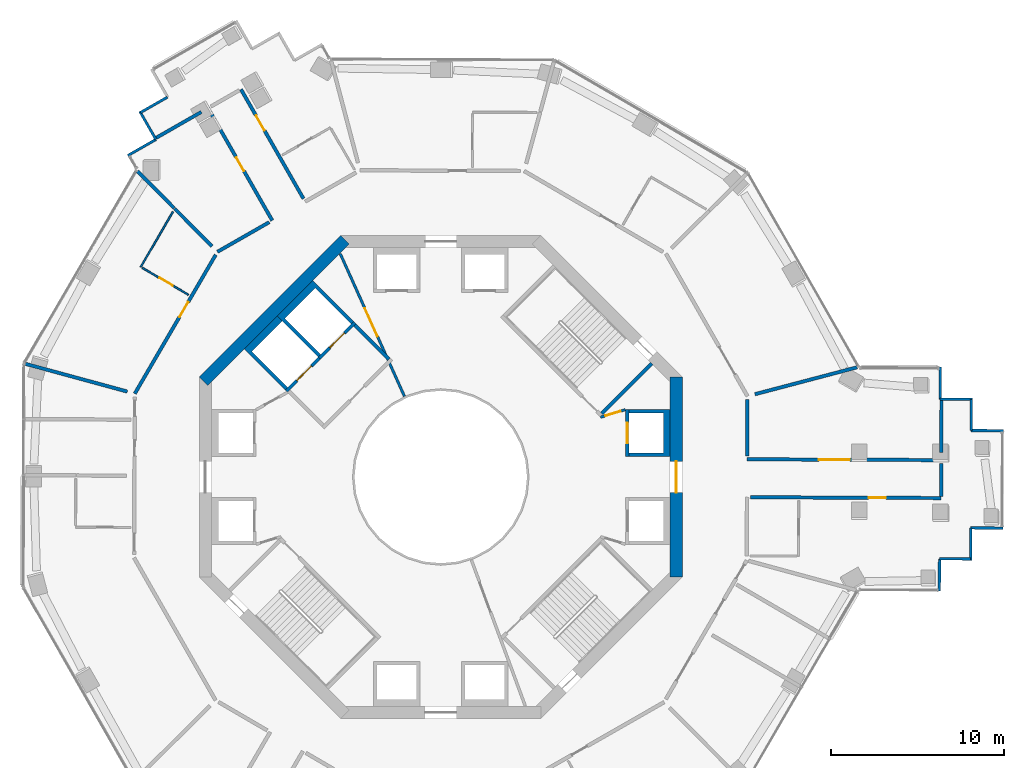
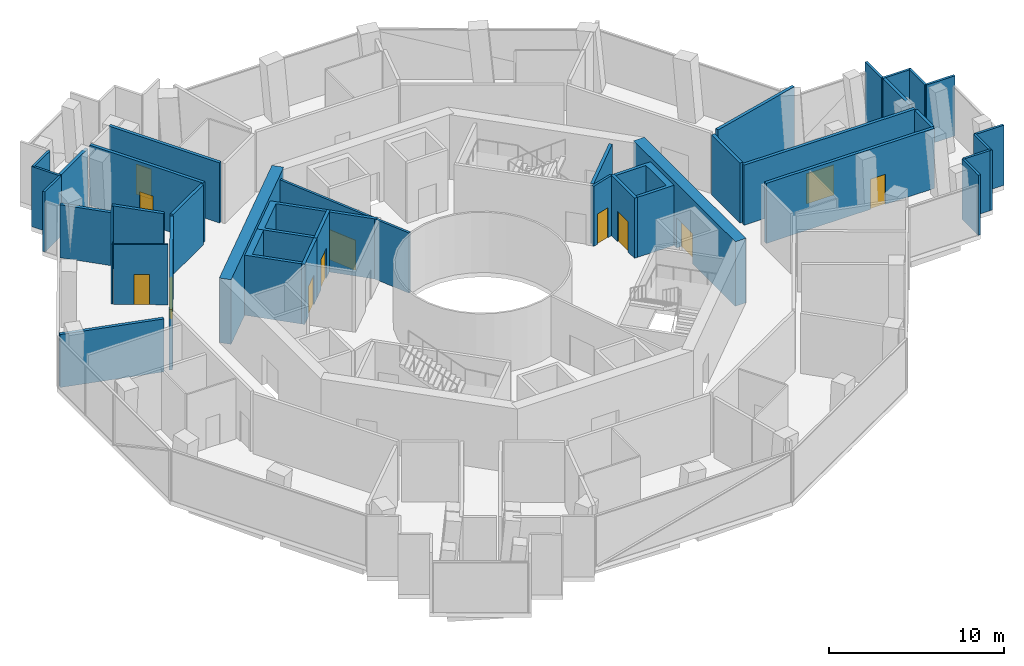
# One storey, part 12 of 16: 39 walls, 12 doors, 12 openings.
"""IFC4 building model written with IfcOpenShell, lengths in metres."""

import ifcopenshell
import ifcopenshell.guid

model = None  # the IFC model being written
_history = None  # IfcOwnerHistory: only IFC2X3 demands one
_inside = {}  # id of a spatial element -> (the spatial element, [elements in it])
_under = {}  # id of a project, library or spatial element -> (it, [spatial elements below it])
_declared = {}  # id of a project -> (the project, [libraries it declares])
_typed = {}  # id of a type object -> (the type object, [elements of that type])
_made_of = {}  # id of a material, layer set ... -> (it, [elements and type objects made of it])


def new_model(schema):
    """Start an empty IFC model of exactly this schema.

    Asked for "IFC4X3", IfcOpenShell would pick the latest addendum, in which some entities
    have other attributes; the version numbers below select the first issue.
    IFC2X3 requires an IfcOwnerHistory on every rooted entity: one is made here for all.
    """
    global model, _history
    if schema == "IFC4X3":
        model = ifcopenshell.file(schema_version=(4, 3, 0, 0))
    else:
        model = ifcopenshell.file(schema=schema)
    _inside.clear()
    _under.clear()
    _declared.clear()
    _typed.clear()
    _made_of.clear()
    _history = None
    if model.schema == "IFC2X3":
        org = make("IfcOrganization", Name="unknown")
        user = make(
            "IfcPersonAndOrganization",
            ThePerson=make("IfcPerson", FamilyName="unknown"),
            TheOrganization=org,
        )
        app = make(
            "IfcApplication",
            ApplicationDeveloper=org,
            Version="unknown",
            ApplicationFullName="unknown",
            ApplicationIdentifier="unknown",
        )
        _history = make(
            "IfcOwnerHistory",
            OwningUser=user,
            OwningApplication=app,
            ChangeAction="ADDED",
            CreationDate=0,
        )
    return model


def make(cls, **values):
    """One entity of the class cls with the attributes given. An attribute that is None is left unset."""
    return model.create_entity(
        cls, **{name: value for name, value in values.items() if value is not None}
    )


def rooted(cls, **values):
    """An entity with a GlobalId (a new one), such as an element, a storey or a relation."""
    return make(cls, GlobalId=ifcopenshell.guid.new(), OwnerHistory=_history, **values)


def si_unit(unit_type, name, prefix=None):
    """IfcSIUnit, for example si_unit("LENGTHUNIT", "METRE", prefix="MILLI")."""
    return make("IfcSIUnit", UnitType=unit_type, Prefix=prefix, Name=name)


def assignment(units):
    """IfcUnitAssignment: the units of a project."""
    return None if units is None else make("IfcUnitAssignment", Units=units)


def point(xyz):
    """IfcCartesianPoint."""
    return None if xyz is None else make("IfcCartesianPoint", Coordinates=xyz)


def direction(xyz):
    """IfcDirection."""
    return None if xyz is None else make("IfcDirection", DirectionRatios=xyz)


def frame(location, z_axis=None, x_axis=None):
    """IfcAxis2Placement3D, a coordinate frame: its origin and axes. An axis left out is left unset."""
    return make(
        "IfcAxis2Placement3D",
        Location=point(location),
        Axis=direction(z_axis),
        RefDirection=direction(x_axis),
    )


def frame_2d(location, x_axis=None):
    """IfcAxis2Placement2D, a coordinate frame in the plane: its origin and x axis."""
    return make(
        "IfcAxis2Placement2D", Location=point(location), RefDirection=direction(x_axis)
    )


def origin():
    """The frame at (0, 0, 0) with its axes left unset."""
    return frame((0.0, 0.0, 0.0))


def place(relative_to, where):
    """IfcLocalPlacement: puts the frame where relative to a parent placement (None: the world)."""
    return make(
        "IfcLocalPlacement", PlacementRelTo=relative_to, RelativePlacement=where
    )


def context(
    kind, dimensions, precision=None, world=None, true_north=None, identifier=None
):
    """IfcGeometricRepresentationContext, for example the 3D "Model" context."""
    return make(
        "IfcGeometricRepresentationContext",
        ContextIdentifier=identifier,
        ContextType=kind,
        CoordinateSpaceDimension=dimensions,
        Precision=precision,
        WorldCoordinateSystem=world,
        TrueNorth=true_north,
    )


def subcontext(parent, identifier, kind, view, scale=None):
    """IfcGeometricRepresentationSubContext, for example "Body" below "Model"."""
    return make(
        "IfcGeometricRepresentationSubContext",
        ContextIdentifier=identifier,
        ContextType=kind,
        ParentContext=parent,
        TargetScale=scale,
        TargetView=view,
    )


def project(units=None, contexts=None):
    """IfcProject with its units and contexts."""
    return rooted(
        "IfcProject",
        Name="project",
        RepresentationContexts=contexts,
        UnitsInContext=assignment(units),
    )


def spatial(cls, under=None, at=None, **own):
    """A site, building, storey or space (cls), placed at a placement, below another one or the project."""
    s = rooted(cls, ObjectPlacement=at, **own)
    if under is not None:
        _under.setdefault(under.id(), (under, []))[1].append(s)
    return s


def polyline(points):
    """IfcPolyline through the points."""
    return make("IfcPolyline", Points=[point(p) for p in points])


def profile(cls, at=None, kind="AREA", **sizes):
    """A parametric profile (cls). Its sizes go by their IFC names, for example OverallWidth=200.0."""
    return make(cls, ProfileType=kind, Position=at, **sizes)


def rectangle(**sizes):
    """IfcRectangleProfileDef."""
    return profile("IfcRectangleProfileDef", **sizes)


def outline(outer, holes=None, kind="AREA"):
    """IfcArbitraryClosedProfileDef: a profile drawn as a closed curve; with holes, ...WithVoids."""
    if holes is None:
        return make("IfcArbitraryClosedProfileDef", ProfileType=kind, OuterCurve=outer)
    return make(
        "IfcArbitraryProfileDefWithVoids",
        ProfileType=kind,
        OuterCurve=outer,
        InnerCurves=holes,
    )


def extrude(swept, where, along, depth):
    """IfcExtrudedAreaSolid: the profile swept, set in the frame where, extruded along a direction by depth."""
    return make(
        "IfcExtrudedAreaSolid",
        SweptArea=swept,
        Position=where,
        ExtrudedDirection=direction(along),
        Depth=depth,
    )


def shape(context_of_items, identifier, shape_type, items):
    """IfcShapeRepresentation: the items that make up one representation, for example the "Body"."""
    return make(
        "IfcShapeRepresentation",
        ContextOfItems=context_of_items,
        RepresentationIdentifier=identifier,
        RepresentationType=shape_type,
        Items=items,
    )


def material(Name=None, Category=None):
    """IfcMaterial."""
    return make("IfcMaterial", Name=Name, Category=Category)


def layer(
    of_material, thickness, ventilated=None, Name=None, Category=None, Priority=None
):
    """IfcMaterialLayer: one layer of a wall or slab, of a material (None: an air gap)."""
    return make(
        "IfcMaterialLayer",
        Material=of_material,
        LayerThickness=thickness,
        IsVentilated=ventilated,
        Name=Name,
        Category=Category,
        Priority=Priority,
    )


def layer_set(layers, Name=None):
    """IfcMaterialLayerSet."""
    return make("IfcMaterialLayerSet", MaterialLayers=layers, LayerSetName=Name)


def made_of(thing, what):
    """Note that an element or type object is made of a material, layer set ...; save() writes the relation."""
    if what is not None:
        _made_of.setdefault(what.id(), (what, []))[1].append(thing)
    return thing


def type_object(cls, material=None, **own):
    """A type object (cls), such as IfcWallType, which elements share."""
    return made_of(rooted(cls, **own), material)


def element(
    cls,
    number,
    at=None,
    inside=None,
    cuts=None,
    type_object=None,
    material=None,
    context=None,
    identifier="Body",
    shape_type=None,
    held_by="IfcProductDefinitionShape",
    body=None,
    shapes=None,
    **own,
):
    """One element of the class cls, such as IfcWall. Its Tag is "e" and its number.

    at: its placement. inside: the storey or other place that contains it. cuts: it is an
    opening in that element (IfcRelVoidsElement). A single representation is given by context,
    identifier, shape_type and body (its items); several are given by shapes. held_by: the class
    of the entity that holds the representations. save() writes the other relations.
    """
    e = rooted(cls, Tag="e%d" % number, ObjectPlacement=at, **own)
    if body is not None:
        shapes = [shape(context, identifier, shape_type, body)]
    if shapes is not None:
        e.Representation = make(held_by, Representations=shapes)
    if inside is not None:
        _inside.setdefault(inside.id(), (inside, []))[1].append(e)
    if cuts is not None:
        rooted(
            "IfcRelVoidsElement", RelatingBuildingElement=cuts, RelatedOpeningElement=e
        )
    if type_object is not None:
        _typed.setdefault(type_object.id(), (type_object, []))[1].append(e)
    return made_of(e, material)


def fill(opening, filler):
    """IfcRelFillsElement: the door or window that sits in an opening."""
    return rooted(
        "IfcRelFillsElement",
        RelatingOpeningElement=opening,
        RelatedBuildingElement=filler,
    )


def aggregate(whole, parts):
    """IfcRelAggregates: a whole, such as a stair, and the parts it consists of."""
    return rooted("IfcRelAggregates", RelatingObject=whole, RelatedObjects=parts)


def save(model, path):
    """Write the relations noted so far, then the file.

    IfcRelAggregates (storeys below a building ...), IfcRelContainedInSpatialStructure (elements
    in a storey), IfcRelDefinesByType, IfcRelAssociatesMaterial and IfcRelDeclares: one each for
    every whole, place, type object, material and project.
    """
    for whole, parts in _under.values():
        aggregate(whole, parts)
    for where, things in _inside.values():
        rooted(
            "IfcRelContainedInSpatialStructure",
            RelatedElements=things,
            RelatingStructure=where,
        )
    for kind, things in _typed.values():
        rooted("IfcRelDefinesByType", RelatedObjects=things, RelatingType=kind)
    for what, things in _made_of.values():
        rooted("IfcRelAssociatesMaterial", RelatedObjects=things, RelatingMaterial=what)
    for by, libraries in _declared.values():
        rooted("IfcRelDeclares", RelatingContext=by, RelatedDefinitions=libraries)
    model.write(path)


model = new_model("IFC4")

# Units and contexts
model_context = context("Model", 3, precision=1e-05, world=origin(), true_north=direction((0.0, 1.0)))
body_context = subcontext(model_context, "Body", "Model", "MODEL_VIEW")
ifc_project = project(units=[si_unit("LENGTHUNIT", "METRE"), si_unit("AREAUNIT", "SQUARE_METRE"), si_unit("VOLUMEUNIT", "CUBIC_METRE"), si_unit("PLANEANGLEUNIT", "RADIAN"), si_unit("MASSUNIT", "GRAM", prefix="KILO")], contexts=[model_context])

# Site, building, storey
site_placement = place(None, origin())
site = spatial("IfcSite", under=ifc_project, at=site_placement, CompositionType="ELEMENT")
building_placement = place(site_placement, origin())
building = spatial("IfcBuilding", under=site, at=building_placement, Name="Verdalira Terraces Hotel", CompositionType="ELEMENT")
storey_placement = place(building_placement, frame((0.0, 0.0, 154.0)))
storey = spatial("IfcBuildingStorey", under=building, at=storey_placement, Name="L37", CompositionType="ELEMENT", Elevation=154.0)

# Wall
ifc_material_1 = material(Name="Moisture-resistant gypsum board partition")
ifc_layer_1 = layer(ifc_material_1, 0.10009765625)
ifc_layer_set_1 = layer_set([ifc_layer_1], Name="Bathroom partition 100 mm")
wall_type_1 = type_object("IfcWallType", Name="Bathroom partition 100 mm", PredefinedType="PARTITIONING", material=ifc_layer_set_1)
wall_1_placement = place(storey_placement, frame((-17.393555, 12.174805, 0.0), z_axis=(0.0, 0.0, 1.0), x_axis=(0.503588214, 0.863943812, 0.0)))
element("IfcWall", 1, at=wall_1_placement, inside=storey, type_object=wall_type_1, Name="Bathroom partition", PredefinedType="PARTITIONING", context=body_context, shape_type="SweptSolid", body=[
    extrude(rectangle(XDim=3.703857, YDim=0.100098, at=frame_2d((1.852051, 0.0))), origin(), (0.0, 0.0, 1.0), 4.189941),
])

# Wall, opening, door
wall_2_placement = place(storey_placement, frame((-17.307129, 12.124512, 0.0), z_axis=(0.0, 0.0, 1.0), x_axis=(0.863901706, -0.503660444, 0.0)))
wall_2 = element("IfcWall", 2, at=wall_2_placement, inside=storey, type_object=wall_type_1, Name="Bathroom partition", PredefinedType="PARTITIONING", context=body_context, shape_type="SweptSolid", body=[
    extrude(rectangle(XDim=3.099854, YDim=0.100098, at=frame_2d((1.549805, 0.0))), origin(), (0.0, 0.0, 1.0), 4.189941),
])
opening_1_placement = place(wall_2_placement, frame((1.149902, 0.0, 0.0)))
opening_1 = element("IfcOpeningElement", 3, at=opening_1_placement, cuts=wall_2, Name="Opening L37-105", PredefinedType="OPENING", context=body_context, shape_type="SweptSolid", body=[
    extrude(rectangle(XDim=0.899902, YDim=2.100098, at=frame_2d((0.449951, 1.050049))), frame((0.0, 0.060059, 0.0), z_axis=(0.0, -1.0, 0.0), x_axis=(1.0, 0.0, 0.0)), (0.0, 0.0, 1.0), 0.120117),
])
ifc_material_2 = material(Name="Timber door", Category="wood")
door_type_1 = type_object("IfcDoorType", Name="Bathroom door 900 x 2100", OperationType="NOTDEFINED", PredefinedType="DOOR", material=ifc_material_2)
door_1_placement = place(opening_1_placement, origin())
door_1 = element("IfcDoor", 4, at=door_1_placement, inside=storey, type_object=door_type_1, Name="Bathroom door 3703", OperationType="SINGLE_SWING_LEFT", OverallHeight=2.10009765625, OverallWidth=0.89990234375, PredefinedType="DOOR", context=body_context, shape_type="SweptSolid", body=[
    extrude(rectangle(XDim=0.899902, YDim=2.100098, at=frame_2d((0.449951, 1.050049))), frame((0.0, 0.024902, 0.0), z_axis=(0.0, -1.0, 0.0), x_axis=(1.0, 0.0, 0.0)), (0.0, 0.0, 1.0), 0.050049),
])
fill(opening_1, door_1)

# Wall
ifc_material_3 = material(Name="Concrete C50", Category="concrete")
ifc_layer_2 = layer(ifc_material_3, 0.199951171875)
ifc_layer_set_2 = layer_set([ifc_layer_2], Name="Core RC wall 200 C50")
wall_type_2 = type_object("IfcWallType", Name="Core RC wall 200 C50", PredefinedType="SOLIDWALL", material=ifc_layer_set_2)
wall_3_placement = place(storey_placement, origin())
element("IfcWall", 5, at=wall_3_placement, inside=storey, type_object=wall_type_2, Name="L37 shaft wall E2", PredefinedType="SOLIDWALL", context=body_context, shape_type="SweptSolid", body=[
    extrude(outline(polyline([(13.300049, 3.899902), (13.300049, 1.199951), (10.899902, 1.199951), (10.899902, 1.399902), (12.899902, 1.399902), (12.899902, 3.699951), (10.899902, 3.699951), (10.899902, 3.899902), (13.300049, 3.899902)])), origin(), (0.0, 0.0, 1.0), 4.189941),
])

# Wall, opening, door
wall_4_placement = place(storey_placement, frame((10.800049, 1.199951, 0.0), z_axis=(0.0, 0.0, 1.0), x_axis=(0.0, 1.0, 0.0)))
wall_4 = element("IfcWall", 6, at=wall_4_placement, inside=storey, type_object=wall_type_2, Name="L37 shaft front wall E2", PredefinedType="SOLIDWALL", context=body_context, shape_type="SweptSolid", body=[
    extrude(rectangle(XDim=2.699951, YDim=0.199951, at=frame_2d((1.350098, 0.0))), origin(), (0.0, 0.0, 1.0), 4.189941),
])
opening_2_placement = place(wall_4_placement, frame((0.75, 0.0, 0.0)))
opening_2 = element("IfcOpeningElement", 7, at=opening_2_placement, cuts=wall_4, Name="Opening LD-L37-802", PredefinedType="OPENING", context=body_context, shape_type="SweptSolid", body=[
    extrude(rectangle(XDim=1.199951, YDim=2.100098, at=frame_2d((0.600098, 1.050049))), frame((0.0, 0.109863, 0.0), z_axis=(0.0, -1.0, 0.0), x_axis=(1.0, 0.0, 0.0)), (0.0, 0.0, 1.0), 0.219971),
])
ifc_material_4 = material(Name="Stainless steel", Category="steel")
door_type_2 = type_object("IfcDoorType", Name="Landing door 1200 x 2100", OperationType="NOTDEFINED", PredefinedType="DOOR", material=ifc_material_4)
door_2_placement = place(opening_2_placement, origin())
door_2 = element("IfcDoor", 8, at=door_2_placement, inside=storey, type_object=door_type_2, Name="Lift landing door LR2 L37", OperationType="DOUBLE_DOOR_SLIDING", OverallHeight=2.10009765625, OverallWidth=1.199951171875, PredefinedType="DOOR", context=body_context, shape_type="SweptSolid", body=[
    extrude(rectangle(XDim=1.199951, YDim=2.100098, at=frame_2d((0.600098, 1.050049))), frame((0.0, 0.024902, 0.0), z_axis=(0.0, -1.0, 0.0), x_axis=(1.0, 0.0, 0.0)), (0.0, 0.0, 1.0), 0.050049),
])
fill(opening_2, door_2)

# Wall
wall_5_placement = place(storey_placement, origin())
element("IfcWall", 9, at=wall_5_placement, inside=storey, type_object=wall_type_2, Name="L37 shaft wall F1", PredefinedType="SOLIDWALL", context=body_context, shape_type="SweptSolid", body=[
    extrude(outline(polyline([(-9.475098, 9.33374), (-7.424561, 11.384521), (-5.055908, 9.015625), (-5.197266, 8.874268), (-7.283203, 10.960205), (-9.051025, 9.192383), (-6.965088, 7.106445), (-7.106445, 6.965088), (-9.475098, 9.33374)])), origin(), (0.0, 0.0, 1.0), 4.189941),
])

# Wall, opening, door
wall_6_placement = place(storey_placement, frame((-4.985107, 8.944824, 0.0), z_axis=(0.0, 0.0, 1.0), x_axis=(-0.707106781, -0.707106781, 0.0)))
wall_6 = element("IfcWall", 10, at=wall_6_placement, inside=storey, type_object=wall_type_2, Name="L37 shaft front wall F1", PredefinedType="SOLIDWALL", context=body_context, shape_type="SweptSolid", body=[
    extrude(rectangle(XDim=2.899902, YDim=0.199951, at=frame_2d((1.449951, 0.0))), origin(), (0.0, 0.0, 1.0), 4.189941),
])
opening_3_placement = place(wall_6_placement, frame((0.850098, 0.0, 0.0)))
opening_3 = element("IfcOpeningElement", 11, at=opening_3_placement, cuts=wall_6, Name="Opening LD-L37-807", PredefinedType="OPENING", context=body_context, shape_type="SweptSolid", body=[
    extrude(rectangle(XDim=1.199951, YDim=2.100098, at=frame_2d((0.600098, 1.050049))), frame((0.0, 0.109863, 0.0), z_axis=(0.0, -1.0, 0.0), x_axis=(1.0, 0.0, 0.0)), (0.0, 0.0, 1.0), 0.219971),
])
door_3_placement = place(opening_3_placement, origin())
door_3 = element("IfcDoor", 12, at=door_3_placement, inside=storey, type_object=door_type_2, Name="Lift landing door LF11 L37", OperationType="DOUBLE_DOOR_SLIDING", OverallHeight=2.10009765625, OverallWidth=1.199951171875, PredefinedType="DOOR", context=body_context, shape_type="SweptSolid", body=[
    extrude(rectangle(XDim=1.199951, YDim=2.100098, at=frame_2d((0.600098, 1.050049))), frame((0.0, 0.024902, 0.0), z_axis=(0.0, -1.0, 0.0), x_axis=(1.0, 0.0, 0.0)), (0.0, 0.0, 1.0), 0.050049),
])
fill(opening_3, door_3)

# Wall
wall_7_placement = place(storey_placement, origin())
element("IfcWall", 13, at=wall_7_placement, inside=storey, type_object=wall_type_2, Name="L37 shaft wall F2", PredefinedType="SOLIDWALL", context=body_context, shape_type="SweptSolid", body=[
    extrude(outline(polyline([(-11.384521, 7.424561), (-9.475098, 9.33374), (-9.192383, 9.051025), (-10.960205, 7.283203), (-8.874268, 5.197266), (-9.015625, 5.055908), (-11.384521, 7.424561)])), origin(), (0.0, 0.0, 1.0), 4.189941),
])

# Wall, opening, door
wall_8_placement = place(storey_placement, frame((-7.035645, 6.894287, 0.0), z_axis=(0.0, 0.0, 1.0), x_axis=(-0.707106781, -0.707106781, 0.0)))
wall_8 = element("IfcWall", 14, at=wall_8_placement, inside=storey, type_object=wall_type_2, Name="L37 shaft front wall F2", PredefinedType="SOLIDWALL", context=body_context, shape_type="SweptSolid", body=[
    extrude(rectangle(XDim=2.699951, YDim=0.199951, at=frame_2d((1.350098, 0.0))), origin(), (0.0, 0.0, 1.0), 4.189941),
])
opening_4_placement = place(wall_8_placement, frame((0.649902, 0.0, 0.0)))
opening_4 = element("IfcOpeningElement", 15, at=opening_4_placement, cuts=wall_8, Name="Opening LD-L37-808", PredefinedType="OPENING", context=body_context, shape_type="SweptSolid", body=[
    extrude(rectangle(XDim=1.199951, YDim=2.100098, at=frame_2d((0.600098, 1.050049))), frame((0.0, 0.109863, 0.0), z_axis=(0.0, -1.0, 0.0), x_axis=(1.0, 0.0, 0.0)), (0.0, 0.0, 1.0), 0.219971),
])
door_4_placement = place(opening_4_placement, origin())
door_4 = element("IfcDoor", 16, at=door_4_placement, inside=storey, type_object=door_type_2, Name="Lift landing door LF12 L37", OperationType="DOUBLE_DOOR_SLIDING", OverallHeight=2.10009765625, OverallWidth=1.199951171875, PredefinedType="DOOR", context=body_context, shape_type="SweptSolid", body=[
    extrude(rectangle(XDim=1.199951, YDim=2.100098, at=frame_2d((0.600098, 1.050049))), frame((0.0, 0.024902, 0.0), z_axis=(0.0, -1.0, 0.0), x_axis=(1.0, 0.0, 0.0)), (0.0, 0.0, 1.0), 0.050049),
])
fill(opening_4, door_4)

# Walls
wall_9_placement = place(storey_placement, frame((9.33374, 3.677002, 0.0), z_axis=(0.0, 0.0, 1.0), x_axis=(0.707106781, 0.707106781, 0.0)))
element("IfcWall", 17, at=wall_9_placement, inside=storey, type_object=wall_type_2, Name="L37 stair ST1 end wall 1", PredefinedType="SOLIDWALL", context=body_context, shape_type="SweptSolid", body=[
    extrude(rectangle(XDim=4.100098, YDim=0.199951, at=frame_2d((2.050049, 0.0))), origin(), (0.0, 0.0, 1.0), 4.189941),
])
wall_10_placement = place(storey_placement, frame((-3.005127, 6.823486, 0.0), z_axis=(0.0, 0.0, 1.0), x_axis=(-0.707106781, 0.707106781, 0.0)))
element("IfcWall", 18, at=wall_10_placement, inside=storey, type_object=wall_type_2, Name="L37 fire lobby wall", PredefinedType="SOLIDWALL", context=body_context, shape_type="SweptSolid", body=[
    extrude(rectangle(XDim=2.800049, YDim=0.199951, at=frame_2d((1.399902, 0.0))), origin(), (0.0, 0.0, 1.0), 4.189941),
])

# Wall, opening, door
ifc_material_5 = material(Name="Gypsum board partition")
ifc_layer_3 = layer(ifc_material_5, 0.14990234375)
ifc_layer_set_3 = layer_set([ifc_layer_3], Name="Core partition 150 mm")
wall_type_3 = type_object("IfcWallType", Name="Core partition 150 mm", PredefinedType="PARTITIONING", material=ifc_layer_set_3)
wall_11_placement = place(storey_placement, frame((10.699951, 3.899902, 0.0), z_axis=(0.0, 0.0, 1.0), x_axis=(-0.957084567, -0.289808785, 0.0)))
wall_11 = element("IfcWall", 19, at=wall_11_placement, inside=storey, type_object=wall_type_3, Name="Room partition L37", PredefinedType="PARTITIONING", context=body_context, shape_type="SweptSolid", body=[
    extrude(rectangle(XDim=1.501221, YDim=0.149902, at=frame_2d((0.750488, 0.0))), origin(), (0.0, 0.0, 1.0), 4.189941),
])
opening_5_placement = place(wall_11_placement, frame((0.300781, 0.0, 0.0)))
opening_5 = element("IfcOpeningElement", 20, at=opening_5_placement, cuts=wall_11, Name="Opening L37-820", PredefinedType="OPENING", context=body_context, shape_type="SweptSolid", body=[
    extrude(rectangle(XDim=0.899902, YDim=2.100098, at=frame_2d((0.449951, 1.050049))), frame((0.0, 0.084961, 0.0), z_axis=(0.0, -1.0, 0.0), x_axis=(1.0, 0.0, 0.0)), (0.0, 0.0, 1.0), 0.169922),
])
ifc_material_6 = material(Name="Steel fire door", Category="steel")
door_type_3 = type_object("IfcDoorType", Name="Core room door 900 x 2100", OperationType="NOTDEFINED", PredefinedType="DOOR", material=ifc_material_6)
door_5_placement = place(opening_5_placement, origin())
door_5 = element("IfcDoor", 21, at=door_5_placement, inside=storey, type_object=door_type_3, Name="Door L37 room0", OperationType="SINGLE_SWING_LEFT", OverallHeight=2.10009765625, OverallWidth=0.89990234375, PredefinedType="DOOR", context=body_context, shape_type="SweptSolid", body=[
    extrude(rectangle(XDim=0.899902, YDim=2.100098, at=frame_2d((0.449951, 1.050049))), frame((0.0, 0.024902, 0.0), z_axis=(0.0, -1.0, 0.0), x_axis=(1.0, 0.0, 0.0)), (0.0, 0.0, 1.0), 0.050049),
])
fill(opening_5, door_5)

wall_12_placement = place(storey_placement, frame((-5.827637, 12.94165, 0.0), z_axis=(0.0, 0.0, 1.0), x_axis=(0.410577476, -0.911825716, 0.0)))
wall_12 = element("IfcWall", 22, at=wall_12_placement, inside=storey, type_object=wall_type_3, Name="Gallery fire partition L37", PredefinedType="PARTITIONING", context=body_context, shape_type="SweptSolid", body=[
    extrude(rectangle(XDim=9.063232, YDim=0.149902, at=frame_2d((4.531738, 0.0))), origin(), (0.0, 0.0, 1.0), 4.189941),
])
opening_6_placement = place(wall_12_placement, frame((3.463379, 0.0, 0.0)))
opening_6 = element("IfcOpeningElement", 23, at=opening_6_placement, cuts=wall_12, Name="Opening L37-824", PredefinedType="OPENING", context=body_context, shape_type="SweptSolid", body=[
    extrude(rectangle(XDim=1.800049, YDim=2.100098, at=frame_2d((0.899902, 1.050049))), frame((0.0, 0.084961, 0.0), z_axis=(0.0, -1.0, 0.0), x_axis=(1.0, 0.0, 0.0)), (0.0, 0.0, 1.0), 0.169922),
])
ifc_material_7 = material(Name="Steel fire door", Category="steel")
door_type_4 = type_object("IfcDoorType", Name="Gallery fire door pair 1800 x 2100", OperationType="NOTDEFINED", PredefinedType="DOOR", material=ifc_material_7)
door_6_placement = place(opening_6_placement, origin())
door_6 = element("IfcDoor", 24, at=door_6_placement, inside=storey, type_object=door_type_4, Name="Door L37 split2", OperationType="DOUBLE_DOOR_SINGLE_SWING", OverallHeight=2.10009765625, OverallWidth=1.800048828125, PredefinedType="DOOR", context=body_context, shape_type="SweptSolid", body=[
    extrude(rectangle(XDim=1.800049, YDim=2.100098, at=frame_2d((0.899902, 1.050049))), frame((0.0, 0.024902, 0.0), z_axis=(0.0, -1.0, 0.0), x_axis=(1.0, 0.0, 0.0)), (0.0, 0.0, 1.0), 0.050049),
])
fill(opening_6, door_6)

ifc_material_8 = material(Name="Concrete C60", Category="concrete")
ifc_layer_4 = layer(ifc_material_8, 0.699951171875)
ifc_layer_set_4 = layer_set([ifc_layer_4], Name="Core wall 700 C60")
wall_type_4 = type_object("IfcWallType", Name="Core wall 700 C60", PredefinedType="SHEAR", material=ifc_layer_set_4)
wall_13_placement = place(storey_placement, frame((13.649902, -5.799072, 0.0), z_axis=(0.0, 0.0, 1.0), x_axis=(0.0, 1.0, 0.0)))
wall_13 = element("IfcWall", 25, at=wall_13_placement, inside=storey, type_object=wall_type_4, Name="Core wall CW-L37-1", PredefinedType="SHEAR", context=body_context, shape_type="SweptSolid", body=[
    extrude(rectangle(XDim=11.598145, YDim=0.699951, at=frame_2d((5.799072, 0.0))), origin(), (0.0, 0.0, 1.0), 4.5),
])
opening_7_placement = place(wall_13_placement, frame((4.898926, 0.0, 0.0)))
opening_7 = element("IfcOpeningElement", 26, at=opening_7_placement, cuts=wall_13, Name="Opening L37-812", PredefinedType="OPENING", context=body_context, shape_type="SweptSolid", body=[
    extrude(rectangle(XDim=1.800049, YDim=2.100098, at=frame_2d((0.899902, 1.050049))), frame((0.0, 0.359863, 0.0), z_axis=(0.0, -1.0, 0.0), x_axis=(1.0, 0.0, 0.0)), (0.0, 0.0, 1.0), 0.719971),
])
ifc_material_9 = material(Name="Steel fire door", Category="steel")
door_type_5 = type_object("IfcDoorType", Name="Core entry door pair 1800 x 2100", OperationType="NOTDEFINED", PredefinedType="DOOR", material=ifc_material_9)
door_7_placement = place(opening_7_placement, origin())
door_7 = element("IfcDoor", 27, at=door_7_placement, inside=storey, type_object=door_type_5, Name="Core entry door L37 0", OperationType="DOUBLE_DOOR_SINGLE_SWING", OverallHeight=2.10009765625, OverallWidth=1.800048828125, PredefinedType="DOOR", context=body_context, shape_type="SweptSolid", body=[
    extrude(rectangle(XDim=1.800049, YDim=2.100098, at=frame_2d((0.899902, 1.050049))), frame((0.0, 0.024902, 0.0), z_axis=(0.0, -1.0, 0.0), x_axis=(1.0, 0.0, 0.0)), (0.0, 0.0, 1.0), 0.050049),
])
fill(opening_7, door_7)

# Walls
wall_14_placement = place(storey_placement, frame((-5.551514, 13.752441, 0.0), z_axis=(0.0, 0.0, 1.0), x_axis=(-0.707106781, -0.707106781, 0.0)))
element("IfcWall", 28, at=wall_14_placement, inside=storey, type_object=wall_type_4, Name="Core wall CW-L37-4", PredefinedType="SHEAR", context=body_context, shape_type="SweptSolid", body=[
    extrude(rectangle(XDim=11.5979, YDim=0.699951, at=frame_2d((5.798828, 0.0))), origin(), (0.0, 0.0, 1.0), 4.5),
])
ifc_material_10 = material(Name="Fire-rated gypsum board wall")
ifc_layer_5 = layer(ifc_material_10, 0.199951171875)
ifc_layer_set_5 = layer_set([ifc_layer_5], Name="Demising wall 200 mm")
wall_type_5 = type_object("IfcWallType", Name="Demising wall 200 mm", PredefinedType="SOLIDWALL", material=ifc_layer_set_5)
wall_15_placement = place(storey_placement, frame((18.210693, 4.797852, 0.0), z_axis=(0.0, 0.0, 1.0), x_axis=(0.967001781, 0.254769614, 0.0)))
element("IfcWall", 29, at=wall_15_placement, inside=storey, type_object=wall_type_5, Name="Demising wall", PredefinedType="SOLIDWALL", context=body_context, shape_type="SweptSolid", body=[
    extrude(rectangle(XDim=6.13208, YDim=0.199951, at=frame_2d((3.065918, 0.0))), origin(), (0.0, 0.0, 1.0), 4.189941),
])
wall_16_placement = place(storey_placement, frame((29.027832, 4.43042, 0.0), z_axis=(0.0, 0.0, 1.0), x_axis=(-0.0042252, -0.999991074, 0.0)))
element("IfcWall", 30, at=wall_16_placement, inside=storey, type_object=wall_type_5, Name="Demising wall", PredefinedType="SOLIDWALL", context=body_context, shape_type="SweptSolid", body=[
    extrude(rectangle(XDim=3.004639, YDim=0.199951, at=frame_2d((1.502441, 0.0))), origin(), (0.0, 0.0, 1.0), 4.189941),
])

# Wall, opening, door
ifc_material_11 = material(Name="Fire-rated gypsum board wall")
ifc_layer_6 = layer(ifc_material_11, 0.199951171875)
ifc_layer_set_6 = layer_set([ifc_layer_6], Name="Guest corridor wall 200 mm")
wall_type_6 = type_object("IfcWallType", Name="Guest corridor wall 200 mm", PredefinedType="SOLIDWALL", material=ifc_layer_set_6)
wall_17_placement = place(storey_placement, frame((-17.738281, 4.832764, 0.0), z_axis=(0.0, 0.0, 1.0), x_axis=(0.503629868, 0.863919531, 0.0)))
wall_17 = element("IfcWall", 31, at=wall_17_placement, inside=storey, type_object=wall_type_6, Name="Guest corridor wall", PredefinedType="SOLIDWALL", context=body_context, shape_type="SweptSolid", body=[
    extrude(rectangle(XDim=9.31665, YDim=0.199951, at=frame_2d((4.658203, 0.0))), origin(), (0.0, 0.0, 1.0), 4.189941),
])
opening_8_placement = place(wall_17_placement, frame((5.149902, 0.0, 0.0)))
opening_8 = element("IfcOpeningElement", 32, at=opening_8_placement, cuts=wall_17, Name="Opening L37-104", PredefinedType="OPENING", context=body_context, shape_type="SweptSolid", body=[
    extrude(rectangle(XDim=1.0, YDim=2.100098, at=frame_2d((0.5, 1.050049))), frame((0.0, 0.109863, 0.0), z_axis=(0.0, -1.0, 0.0), x_axis=(1.0, 0.0, 0.0)), (0.0, 0.0, 1.0), 0.219971),
])
ifc_material_12 = material(Name="Timber fire door", Category="wood")
door_type_6 = type_object("IfcDoorType", Name="Guest entry door 1000 x 2100", OperationType="NOTDEFINED", PredefinedType="DOOR", material=ifc_material_12)
door_8_placement = place(opening_8_placement, origin())
door_8 = element("IfcDoor", 33, at=door_8_placement, inside=storey, type_object=door_type_6, Name="Guest entry door 3703", OperationType="SINGLE_SWING_LEFT", OverallHeight=2.10009765625, OverallWidth=1.0, PredefinedType="DOOR", context=body_context, shape_type="SweptSolid", body=[
    extrude(rectangle(XDim=1.0, YDim=2.100098, at=frame_2d((0.5, 1.050049))), frame((0.0, 0.024902, 0.0), z_axis=(0.0, -1.0, 0.0), x_axis=(1.0, 0.0, 0.0)), (0.0, 0.0, 1.0), 0.050049),
])
fill(opening_8, door_8)

wall_18_placement = place(storey_placement, frame((-9.769531, 14.870361, 0.0), z_axis=(0.0, 0.0, 1.0), x_axis=(-0.496363285, 0.868114906, 0.0)))
wall_18 = element("IfcWall", 34, at=wall_18_placement, inside=storey, type_object=wall_type_6, Name="Guest corridor wall", PredefinedType="SOLIDWALL", context=body_context, shape_type="SweptSolid", body=[
    extrude(rectangle(XDim=7.499756, YDim=0.199951, at=frame_2d((3.75, 0.0))), origin(), (0.0, 0.0, 1.0), 4.189941),
])
opening_9_placement = place(wall_18_placement, frame((3.300049, 0.0, 0.0)))
opening_9 = element("IfcOpeningElement", 35, at=opening_9_placement, cuts=wall_18, Name="Opening L37-103", PredefinedType="OPENING", context=body_context, shape_type="SweptSolid", body=[
    extrude(rectangle(XDim=0.899902, YDim=2.100098, at=frame_2d((0.449951, 1.050049))), frame((0.0, 0.109863, 0.0), z_axis=(0.0, -1.0, 0.0), x_axis=(1.0, 0.0, 0.0)), (0.0, 0.0, 1.0), 0.219971),
])
ifc_material_13 = material(Name="Steel fire door", Category="steel")
door_type_7 = type_object("IfcDoorType", Name="Service room door 900 x 2100", OperationType="NOTDEFINED", PredefinedType="DOOR", material=ifc_material_13)
door_9_placement = place(opening_9_placement, origin())
door_9 = element("IfcDoor", 36, at=door_9_placement, inside=storey, type_object=door_type_7, Name="Service room door 3702", OperationType="SINGLE_SWING_LEFT", OverallHeight=2.10009765625, OverallWidth=0.89990234375, PredefinedType="DOOR", context=body_context, shape_type="SweptSolid", body=[
    extrude(rectangle(XDim=0.899902, YDim=2.100098, at=frame_2d((0.449951, 1.050049))), frame((0.0, 0.024902, 0.0), z_axis=(0.0, -1.0, 0.0), x_axis=(1.0, 0.0, 0.0)), (0.0, 0.0, 1.0), 0.050049),
])
fill(opening_9, door_9)

# Wall
wall_19_placement = place(storey_placement, frame((-9.943359, 14.770996, 0.0), z_axis=(0.0, 0.0, 1.0), x_axis=(-0.868099733, -0.49638982, 0.0)))
element("IfcWall", 37, at=wall_19_placement, inside=storey, type_object=wall_type_6, Name="Guest corridor wall", PredefinedType="SOLIDWALL", context=body_context, shape_type="SweptSolid", body=[
    extrude(rectangle(XDim=3.458008, YDim=0.199951, at=frame_2d((1.729004, 0.0))), origin(), (0.0, 0.0, 1.0), 4.189941),
])

# Wall, opening, door
wall_20_placement = place(storey_placement, frame((-11.581543, 22.471191, 0.0), z_axis=(0.0, 0.0, 1.0), x_axis=(0.496391109, -0.868098996, 0.0)))
wall_20 = element("IfcWall", 38, at=wall_20_placement, inside=storey, type_object=wall_type_6, Name="Guest corridor wall", PredefinedType="SOLIDWALL", context=body_context, shape_type="SweptSolid", body=[
    extrude(rectangle(XDim=7.297852, YDim=0.199951, at=frame_2d((3.648926, 0.0))), origin(), (0.0, 0.0, 1.0), 4.189941),
])
opening_10_placement = place(wall_20_placement, frame((1.75, 0.0, 0.0)))
opening_10 = element("IfcOpeningElement", 39, at=opening_10_placement, cuts=wall_20, Name="Opening L37-101", PredefinedType="OPENING", context=body_context, shape_type="SweptSolid", body=[
    extrude(rectangle(XDim=1.0, YDim=2.100098, at=frame_2d((0.5, 1.050049))), frame((0.0, 0.109863, 0.0), z_axis=(0.0, -1.0, 0.0), x_axis=(1.0, 0.0, 0.0)), (0.0, 0.0, 1.0), 0.219971),
])
door_10_placement = place(opening_10_placement, origin())
door_10 = element("IfcDoor", 40, at=door_10_placement, inside=storey, type_object=door_type_6, Name="Guest entry door 3701", OperationType="SINGLE_SWING_LEFT", OverallHeight=2.10009765625, OverallWidth=1.0, PredefinedType="DOOR", context=body_context, shape_type="SweptSolid", body=[
    extrude(rectangle(XDim=1.0, YDim=2.100098, at=frame_2d((0.5, 1.050049))), frame((0.0, 0.024902, 0.0), z_axis=(0.0, -1.0, 0.0), x_axis=(1.0, 0.0, 0.0)), (0.0, 0.0, 1.0), 0.050049),
])
fill(opening_10, door_10)

# Wall
wall_21_placement = place(storey_placement, frame((17.763672, 1.225586, 0.0), z_axis=(0.0, 0.0, 1.0), x_axis=(0.004195977, 0.999991197, 0.0)))
element("IfcWall", 41, at=wall_21_placement, inside=storey, type_object=wall_type_6, Name="Guest corridor wall", PredefinedType="SOLIDWALL", context=body_context, shape_type="SweptSolid", body=[
    extrude(rectangle(XDim=3.258301, YDim=0.199951, at=frame_2d((1.62915, 0.0))), origin(), (0.0, 0.0, 1.0), 4.189941),
])

# Wall, opening, door
wall_22_placement = place(storey_placement, frame((17.762695, 1.025635, 0.0), z_axis=(0.0, 0.0, 1.0), x_axis=(0.99999123, -0.00418815, 0.0)))
wall_22 = element("IfcWall", 42, at=wall_22_placement, inside=storey, type_object=wall_type_6, Name="Guest corridor wall", PredefinedType="SOLIDWALL", context=body_context, shape_type="SweptSolid", body=[
    extrude(rectangle(XDim=11.250488, YDim=0.199951, at=frame_2d((5.625244, 0.0))), origin(), (0.0, 0.0, 1.0), 4.189941),
])
opening_11_placement = place(wall_22_placement, frame((4.149902, 0.0, 0.0)))
opening_11 = element("IfcOpeningElement", 43, at=opening_11_placement, cuts=wall_22, Name="Opening L37-117", PredefinedType="OPENING", context=body_context, shape_type="SweptSolid", body=[
    extrude(rectangle(XDim=1.800049, YDim=2.100098, at=frame_2d((0.899902, 1.050049))), frame((0.0, 0.109863, 0.0), z_axis=(0.0, -1.0, 0.0), x_axis=(1.0, 0.0, 0.0)), (0.0, 0.0, 1.0), 0.219971),
])
ifc_material_14 = material(Name="Timber fire door", Category="wood")
door_type_8 = type_object("IfcDoorType", Name="Public room double door 1800 x 2100", OperationType="NOTDEFINED", PredefinedType="DOOR", material=ifc_material_14)
door_11_placement = place(opening_11_placement, origin())
door_11 = element("IfcDoor", 44, at=door_11_placement, inside=storey, type_object=door_type_8, Name="Public room double door 3711", OperationType="DOUBLE_DOOR_SINGLE_SWING", OverallHeight=2.10009765625, OverallWidth=1.800048828125, PredefinedType="DOOR", context=body_context, shape_type="SweptSolid", body=[
    extrude(rectangle(XDim=1.800049, YDim=2.100098, at=frame_2d((0.899902, 1.050049))), frame((0.0, 0.024902, 0.0), z_axis=(0.0, -1.0, 0.0), x_axis=(1.0, 0.0, 0.0)), (0.0, 0.0, 1.0), 0.050049),
])
fill(opening_11, door_11)

wall_23_placement = place(storey_placement, frame((29.002197, -1.221436, 0.0), z_axis=(0.0, 0.0, 1.0), x_axis=(-0.999991279, 0.004176298, 0.0)))
wall_23 = element("IfcWall", 45, at=wall_23_placement, inside=storey, type_object=wall_type_6, Name="Guest corridor wall", PredefinedType="SOLIDWALL", context=body_context, shape_type="SweptSolid", body=[
    extrude(rectangle(XDim=11.048584, YDim=0.199951, at=frame_2d((5.524414, 0.0))), origin(), (0.0, 0.0, 1.0), 4.189941),
])
opening_12_placement = place(wall_23_placement, frame((3.199951, 0.0, 0.0)))
opening_12 = element("IfcOpeningElement", 46, at=opening_12_placement, cuts=wall_23, Name="Opening L37-115", PredefinedType="OPENING", context=body_context, shape_type="SweptSolid", body=[
    extrude(rectangle(XDim=1.0, YDim=2.100098, at=frame_2d((0.5, 1.050049))), frame((0.0, 0.109863, 0.0), z_axis=(0.0, -1.0, 0.0), x_axis=(1.0, 0.0, 0.0)), (0.0, 0.0, 1.0), 0.219971),
])
door_12_placement = place(opening_12_placement, origin())
door_12 = element("IfcDoor", 47, at=door_12_placement, inside=storey, type_object=door_type_6, Name="Guest entry door 3710", OperationType="SINGLE_SWING_LEFT", OverallHeight=2.10009765625, OverallWidth=1.0, PredefinedType="DOOR", context=body_context, shape_type="SweptSolid", body=[
    extrude(rectangle(XDim=1.0, YDim=2.100098, at=frame_2d((0.5, 1.050049))), frame((0.0, 0.024902, 0.0), z_axis=(0.0, -1.0, 0.0), x_axis=(1.0, 0.0, 0.0)), (0.0, 0.0, 1.0), 0.050049),
])
fill(opening_12, door_12)

# Walls
wall_24_placement = place(storey_placement, frame((29.004639, -1.119385, 0.0), z_axis=(0.0, 0.0, 1.0), x_axis=(0.004112019, 0.999991546, 0.0)))
element("IfcWall", 48, at=wall_24_placement, inside=storey, type_object=wall_type_6, Name="Guest corridor wall", PredefinedType="SOLIDWALL", context=body_context, shape_type="SweptSolid", body=[
    extrude(rectangle(XDim=1.899902, YDim=0.199951, at=frame_2d((0.949951, 0.0))), origin(), (0.0, 0.0, 1.0), 4.189941),
])
ifc_material_15 = material(Name="Fire-rated gypsum board wall")
ifc_layer_7 = layer(ifc_material_15, 0.199951171875)
ifc_layer_set_7 = layer_set([ifc_layer_7], Name="Service room wall 200 mm")
wall_type_7 = type_object("IfcWallType", Name="Service room wall 200 mm", PredefinedType="SOLIDWALL", material=ifc_layer_set_7)
wall_25_placement = place(storey_placement, frame((-16.489014, 19.66748, 0.0), z_axis=(0.0, 0.0, 1.0), x_axis=(0.868073092, 0.496436409, 0.0)))
element("IfcWall", 49, at=wall_25_placement, inside=storey, type_object=wall_type_7, Name="Service room wall", PredefinedType="SOLIDWALL", context=body_context, shape_type="SweptSolid", body=[
    extrude(rectangle(XDim=3.004883, YDim=0.199951, at=frame_2d((1.502441, 0.0))), origin(), (0.0, 0.0, 1.0), 4.189941),
])
wall_26_placement = place(storey_placement, frame((-13.260498, 13.371826, 0.0), z_axis=(0.0, 0.0, 1.0), x_axis=(-0.704082958, 0.710117728, 0.0)))
element("IfcWall", 50, at=wall_26_placement, inside=storey, type_object=wall_type_7, Name="Service room wall", PredefinedType="SOLIDWALL", context=body_context, shape_type="SweptSolid", body=[
    extrude(rectangle(XDim=3.074707, YDim=0.199951, at=frame_2d((1.537354, 0.0))), origin(), (0.0, 0.0, 1.0), 4.189941),
])
ifc_material_16 = material(Name="Fire-rated gypsum board wall")
ifc_layer_8 = layer(ifc_material_16, 0.199951171875)
ifc_layer_set_8 = layer_set([ifc_layer_8], Name="Service room wall 200 mm to beam soffit")
wall_type_8 = type_object("IfcWallType", Name="Service room wall 200 mm to beam soffit", PredefinedType="SOLIDWALL", material=ifc_layer_set_8)
wall_27_placement = place(storey_placement, frame((-24.086182, 6.562012, 0.0), z_axis=(0.0, 0.0, 1.0), x_axis=(0.964837285, -0.26284789, 0.0)))
element("IfcWall", 51, at=wall_27_placement, inside=storey, type_object=wall_type_8, Name="Service room wall", PredefinedType="SOLIDWALL", context=body_context, shape_type="SweptSolid", body=[
    extrude(rectangle(XDim=6.13208, YDim=0.199951, at=frame_2d((3.065918, 0.0))), origin(), (0.0, 0.0, 1.0), 3.689941),
])
wall_28_placement = place(storey_placement, frame((-15.457764, 15.587646, 0.0), z_axis=(0.0, 0.0, 1.0), x_axis=(-0.704100795, 0.710100042, 0.0)))
element("IfcWall", 52, at=wall_28_placement, inside=storey, type_object=wall_type_8, Name="Service room wall", PredefinedType="SOLIDWALL", context=body_context, shape_type="SweptSolid", body=[
    extrude(rectangle(XDim=3.011475, YDim=0.199951, at=frame_2d((1.505859, 0.0))), origin(), (0.0, 0.0, 1.0), 3.689941),
])
ifc_material_17 = material(Name="Terracotta cladding", Category="masonry")
ifc_layer_9 = layer(ifc_material_17, 0.14990234375)
ifc_layer_set_9 = layer_set([ifc_layer_9], Name="Terracotta clad wall 150")
wall_type_9 = type_object("IfcWallType", Name="Terracotta clad wall 150", PredefinedType="SOLIDWALL", material=ifc_layer_set_9)
wall_29_placement = place(storey_placement, frame((-15.846191, 22.022217, 0.0), z_axis=(0.0, 0.0, 1.0), x_axis=(-0.868134605, -0.496328831, 0.0)))
element("IfcWall", 53, at=wall_29_placement, inside=storey, type_object=wall_type_9, Name="Terracotta cladding wall", PredefinedType="SOLIDWALL", context=body_context, shape_type="SweptSolid", body=[
    extrude(rectangle(XDim=1.799805, YDim=0.149902, at=frame_2d((0.899902, 0.0))), origin(), (0.0, 0.0, 1.0), 4.189941),
])
for number, where, z_axis, x_axis, name in (
    (54, (-17.445801, 21.193848, 0.0), (0.0, 0.0, 1.0), (0.496363285, -0.868114906, 0.0), "Terracotta cladding wall"),
    (55, (-16.515137, 19.566162, 0.0), (0.0, 0.0, 1.0), (-0.868114906, -0.496363285, 0.0), "Terracotta cladding wall"),
    (56, (28.906494, -6.621094, 0.0), (0.0, 0.0, 1.0), (0.00416663, 0.99999132, 0.0), "Terracotta cladding wall"),
):
    element("IfcWall", number, at=place(storey_placement, frame(where, z_axis=z_axis, x_axis=x_axis)), inside=storey, type_object=wall_type_9, Name=name, PredefinedType="SOLIDWALL", context=body_context, shape_type="SweptSolid", body=[
        extrude(rectangle(XDim=1.875, YDim=0.149902, at=frame_2d((0.9375, 0.0))), origin(), (0.0, 0.0, 1.0), 4.189941),
    ])
wall_30_placement = place(storey_placement, frame((28.914307, -4.746094, 0.0), z_axis=(0.0, 0.0, 1.0), x_axis=(0.999991161, -0.004204493, 0.0)))
element("IfcWall", 57, at=wall_30_placement, inside=storey, type_object=wall_type_9, Name="Terracotta cladding wall", PredefinedType="SOLIDWALL", context=body_context, shape_type="SweptSolid", body=[
    extrude(rectangle(XDim=1.800049, YDim=0.149902, at=frame_2d((0.899902, 0.0))), origin(), (0.0, 0.0, 1.0), 4.189941),
])
for number, where, z_axis, x_axis, name in (
    (58, (30.714111, -4.828613, 0.0), (0.0, 0.0, 1.0), (0.00416663, 0.99999132, 0.0), "Terracotta cladding wall"),
    (59, (30.721924, -2.953613, 0.0), (0.0, 0.0, 1.0), (0.999990769, -0.004296835, 0.0), "Terracotta cladding wall"),
    (60, (32.620605, 2.688477, 0.0), (0.0, 0.0, 1.0), (-0.99999132, 0.00416663, 0.0), "Terracotta cladding wall"),
):
    element("IfcWall", number, at=place(storey_placement, frame(where, z_axis=z_axis, x_axis=x_axis)), inside=storey, type_object=wall_type_9, Name=name, PredefinedType="SOLIDWALL", context=body_context, shape_type="SweptSolid", body=[
        extrude(rectangle(XDim=1.875, YDim=0.149902, at=frame_2d((0.9375, 0.0))), origin(), (0.0, 0.0, 1.0), 4.189941),
    ])
wall_31_placement = place(storey_placement, frame((30.745605, 2.696289, 0.0), z_axis=(0.0, 0.0, 1.0), x_axis=(0.004204493, 0.999991161, 0.0)))
element("IfcWall", 61, at=wall_31_placement, inside=storey, type_object=wall_type_9, Name="Terracotta cladding wall", PredefinedType="SOLIDWALL", context=body_context, shape_type="SweptSolid", body=[
    extrude(rectangle(XDim=1.800049, YDim=0.149902, at=frame_2d((0.899902, 0.0))), origin(), (0.0, 0.0, 1.0), 4.189941),
])
for number, where, z_axis, x_axis, name in (
    (62, (30.828125, 4.49585, 0.0), (0.0, 0.0, 1.0), (-0.99999132, 0.00416663, 0.0), "Terracotta cladding wall"),
    (63, (28.953125, 4.503662, 0.0), (0.0, 0.0, 1.0), (0.00416663, 0.99999132, 0.0), "Terracotta cladding wall"),
):
    element("IfcWall", number, at=place(storey_placement, frame(where, z_axis=z_axis, x_axis=x_axis)), inside=storey, type_object=wall_type_9, Name=name, PredefinedType="SOLIDWALL", context=body_context, shape_type="SweptSolid", body=[
        extrude(rectangle(XDim=1.875, YDim=0.149902, at=frame_2d((0.9375, 0.0))), origin(), (0.0, 0.0, 1.0), 4.189941),
    ])

save(model, "model.ifc")
